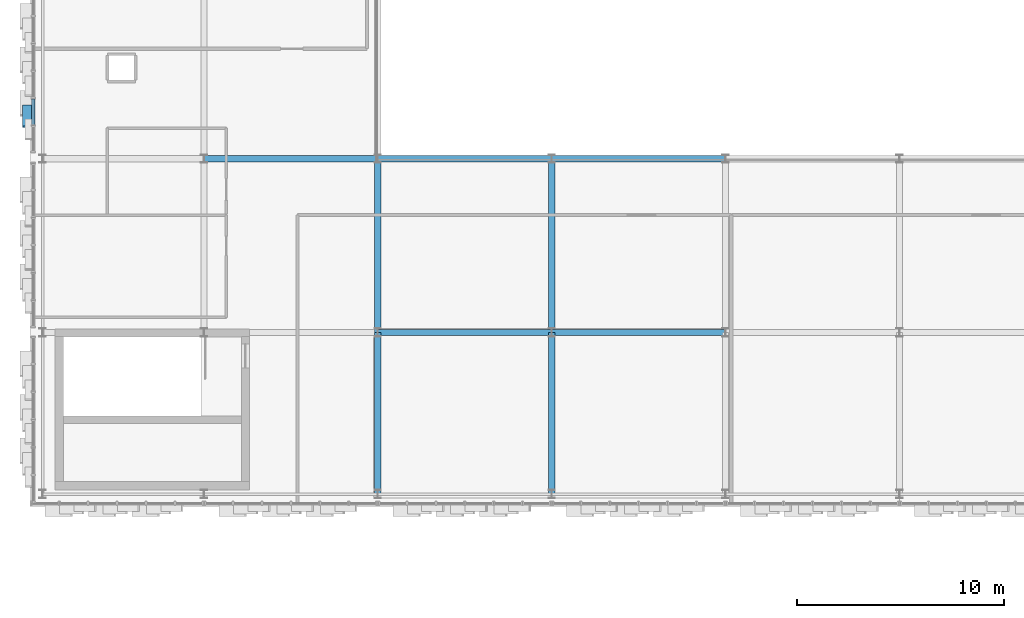
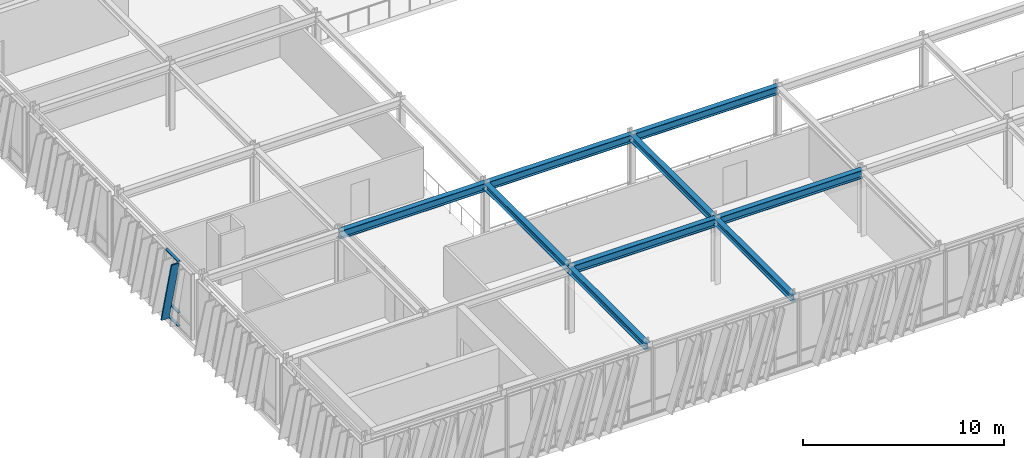
# One storey, part 35 of 123: 9 beams, 4 members, 1 element without a shape of its own.
"""IFC4 building model written with IfcOpenShell, lengths in metres."""

from ifc_helpers import new_model, si_unit, direction, frame, origin, origin_2d, place, context, subcontext, project, spatial, hollow_rectangle, i_section, extrude, material, layer, layer_set, material_profile, profile_set, type_object, element, aggregate, save


model = new_model("IFC4")

# Units and contexts
model_context = context("Model", 3, precision=1e-05, world=origin(), true_north=direction((0.0, 1.0)))
body_context = subcontext(model_context, "Body", "Model", "MODEL_VIEW")
ifc_project = project(units=[si_unit("LENGTHUNIT", "METRE"), si_unit("AREAUNIT", "SQUARE_METRE"), si_unit("VOLUMEUNIT", "CUBIC_METRE"), si_unit("PLANEANGLEUNIT", "RADIAN"), si_unit("MASSUNIT", "GRAM", prefix="KILO")], contexts=[model_context])

# Site, building, storey
site_placement = place(None, origin())
site = spatial("IfcSite", under=ifc_project, at=site_placement, CompositionType="ELEMENT")
building_placement = place(site_placement, origin())
building = spatial("IfcBuilding", under=site, at=building_placement, Name="Zayran Congress Hotel", CompositionType="ELEMENT")
storey_placement = place(building_placement, frame((0.0, 0.0, 15.0)))
storey = spatial("IfcBuildingStorey", under=building, at=storey_placement, Name="L03", CompositionType="ELEMENT", Elevation=15.0)

# Beams
ifc_material_1 = material(Name="Steel S355", Category="steel")
ifc_material_profile_1 = material_profile(ifc_material_1, i_section(OverallWidth=0.300048828125, OverallDepth=0.489990234375, WebThickness=0.011962890625, FlangeThickness=0.02294921875, at=origin_2d()), Name="HEA 500")
ifc_profile_set_1 = profile_set([ifc_material_profile_1], Name="Steel S355")
beam_type_1 = type_object("IfcBeamType", Name="TP-BM-05", PredefinedType="BEAM", material=ifc_profile_set_1)
beam_1_placement = place(storey_placement, frame((25.199951171875, 76.0, 3.735107421875), z_axis=(1.0, 0.0, 0.0), x_axis=(0.0, 1.0, 0.0)))
element("IfcBeam", 1, at=beam_1_placement, inside=storey, type_object=beam_type_1, Name="BM-V1-L03-0803", PredefinedType="BEAM", context=body_context, shape_type="SweptSolid", body=[
    extrude(i_section(OverallWidth=0.300048828125, OverallDepth=0.489990234375, WebThickness=0.011962890625, FlangeThickness=0.02294921875, at=origin_2d()), origin(), (0.0, 0.0, 1.0), 8.400146484375),
])
for number, where, z_axis, x_axis, name in (
    (2, (33.60009765625, 76.0, 3.735107421875), (1.0, 0.0, 0.0), (0.0, 1.0, 0.0), "BM-V1-L03-0804"),
    (3, (16.800048828125, 84.39990234375, 3.735107421875), (1.0, 0.0, 0.0), (0.0, 1.0, 0.0), "BM-V1-L03-0812"),
):
    element("IfcBeam", number, at=place(storey_placement, frame(where, z_axis=z_axis, x_axis=x_axis)), inside=storey, type_object=beam_type_1, Name=name, PredefinedType="BEAM", context=body_context, shape_type="SweptSolid", body=[
        extrude(i_section(OverallWidth=0.300048828125, OverallDepth=0.489990234375, WebThickness=0.011962890625, FlangeThickness=0.02294921875, at=origin_2d()), origin(), (0.0, 0.0, 1.0), 8.39990234375),
    ])
beam_2_placement = place(storey_placement, frame((25.199951171875, 84.39990234375, 3.735107421875), z_axis=(1.0, 0.0, 0.0), x_axis=(0.0, 1.0, 0.0)))
element("IfcBeam", 4, at=beam_2_placement, inside=storey, type_object=beam_type_1, Name="BM-V1-L03-0813", PredefinedType="BEAM", context=body_context, shape_type="SweptSolid", body=[
    extrude(i_section(OverallWidth=0.300048828125, OverallDepth=0.489990234375, WebThickness=0.011962890625, FlangeThickness=0.02294921875, at=origin_2d()), origin(), (0.0, 0.0, 1.0), 8.400146484375),
])
beam_3_placement = place(storey_placement, frame((33.60009765625, 84.39990234375, 3.735107421875), z_axis=(1.0, 0.0, 0.0), x_axis=(0.0, 1.0, 0.0)))
element("IfcBeam", 5, at=beam_3_placement, inside=storey, type_object=beam_type_1, Name="BM-V1-L03-0814", PredefinedType="BEAM", context=body_context, shape_type="SweptSolid", body=[
    extrude(i_section(OverallWidth=0.300048828125, OverallDepth=0.489990234375, WebThickness=0.011962890625, FlangeThickness=0.02294921875, at=origin_2d()), origin(), (0.0, 0.0, 1.0), 8.39990234375),
])
ifc_material_profile_2 = material_profile(ifc_material_1, i_section(OverallWidth=0.300048828125, OverallDepth=0.389892578125, WebThickness=0.010986328125, FlangeThickness=0.01904296875, at=origin_2d()), Name="HEA 400")
ifc_profile_set_2 = profile_set([ifc_material_profile_2], Name="Steel S355")
beam_type_2 = type_object("IfcBeamType", Name="TP-BM-06", PredefinedType="BEAM", material=ifc_profile_set_2)
beam_4_placement = place(storey_placement, frame((25.199951171875, 68.199951171875, 3.784912109375), z_axis=(0.0, 1.0, 0.0), x_axis=(-1.0, 0.0, 0.0)))
element("IfcBeam", 6, at=beam_4_placement, inside=storey, type_object=beam_type_2, Name="BM-V1-L03-0859", PredefinedType="BEAM", context=body_context, shape_type="SweptSolid", body=[
    extrude(i_section(OverallWidth=0.300048828125, OverallDepth=0.389892578125, WebThickness=0.010986328125, FlangeThickness=0.01904296875, at=origin_2d()), origin(), (0.0, 0.0, 1.0), 7.800048828125),
])
beam_5_placement = place(storey_placement, frame((25.199951171875, 76.0, 3.784912109375), z_axis=(0.0, 1.0, 0.0), x_axis=(-1.0, 0.0, 0.0)))
element("IfcBeam", 7, at=beam_5_placement, inside=storey, type_object=beam_type_2, Name="BM-V1-L03-0860", PredefinedType="BEAM", context=body_context, shape_type="SweptSolid", body=[
    extrude(i_section(OverallWidth=0.300048828125, OverallDepth=0.389892578125, WebThickness=0.010986328125, FlangeThickness=0.01904296875, at=origin_2d()), origin(), (0.0, 0.0, 1.0), 8.39990234375),
])
beam_6_placement = place(storey_placement, frame((33.60009765625, 68.199951171875, 3.784912109375), z_axis=(0.0, 1.0, 0.0), x_axis=(-1.0, 0.0, 0.0)))
element("IfcBeam", 8, at=beam_6_placement, inside=storey, type_object=beam_type_2, Name="BM-V1-L03-0865", PredefinedType="BEAM", context=body_context, shape_type="SweptSolid", body=[
    extrude(i_section(OverallWidth=0.300048828125, OverallDepth=0.389892578125, WebThickness=0.010986328125, FlangeThickness=0.01904296875, at=origin_2d()), origin(), (0.0, 0.0, 1.0), 7.800048828125),
])
beam_7_placement = place(storey_placement, frame((33.60009765625, 76.0, 3.784912109375), z_axis=(0.0, 1.0, 0.0), x_axis=(-1.0, 0.0, 0.0)))
element("IfcBeam", 9, at=beam_7_placement, inside=storey, type_object=beam_type_2, Name="BM-V1-L03-0866", PredefinedType="BEAM", context=body_context, shape_type="SweptSolid", body=[
    extrude(i_section(OverallWidth=0.300048828125, OverallDepth=0.389892578125, WebThickness=0.010986328125, FlangeThickness=0.01904296875, at=origin_2d()), origin(), (0.0, 0.0, 1.0), 8.39990234375),
])

# Curtain wall, members
ifc_material_2 = material(Name="Anodised aluminium and low-E insulated glass", Category="aluminium")
ifc_layer = layer(ifc_material_2, 0.179931640625)
ifc_layer_set = layer_set([ifc_layer], Name="Anodised aluminium and low-E insulated glass")
curtain_wall_type = type_object("IfcCurtainWallType", Name="CW-V1W-L03-CW-31-7940-3980", PredefinedType="USERDEFINED", material=ifc_layer_set)
curtain_wall_placement = place(storey_placement, origin())
curtain_wall = element("IfcCurtainWall", 10, at=curtain_wall_placement, inside=storey, type_object=curtain_wall_type, Name="CW-V1W-L03-2", ObjectType="CURTAIN WALL", PredefinedType="USERDEFINED")
ifc_material_3 = material(Name="Anodised aluminium framing", Category="aluminium")
ifc_material_profile_3 = material_profile(ifc_material_3, hollow_rectangle(XDim=0.06005859375, YDim=0.14990234375, WallThickness=0.00390625, at=origin_2d()), Name="RHS 150x60x4")
ifc_profile_set_3 = profile_set([ifc_material_profile_3], Name="Anodised aluminium framing")
member_type_1 = type_object("IfcMemberType", Name="TP-CWT-01", PredefinedType="USERDEFINED", material=ifc_profile_set_3)
member_1_placement = place(storey_placement, frame((8.550048828125, 87.28662109375, 0.030029296875), z_axis=(0.0, -1.0, 0.0), x_axis=(0.0, 0.0, 1.0)))
member_1 = element("IfcMember", 11, at=member_1_placement, type_object=member_type_1, Name="CW-V1W-L03-2-T04-0", ObjectType="TRANSOM", PredefinedType="USERDEFINED", context=body_context, shape_type="SweptSolid", body=[
    extrude(hollow_rectangle(XDim=0.06005859375, YDim=0.14990234375, WallThickness=0.00390625, at=origin_2d()), origin(), (0.0, 0.0, 1.0), 1.243408203125),
])
member_2_placement = place(storey_placement, frame((8.550048828125, 87.28662109375, 0.840087890625), z_axis=(0.0, -1.0, 0.0), x_axis=(0.0, 0.0, 1.0)))
member_2 = element("IfcMember", 12, at=member_2_placement, type_object=member_type_1, Name="CW-V1W-L03-2-T04-1", ObjectType="TRANSOM", PredefinedType="USERDEFINED", context=body_context, shape_type="SweptSolid", body=[
    extrude(hollow_rectangle(XDim=0.06005859375, YDim=0.14990234375, WallThickness=0.00390625, at=origin_2d()), origin(), (0.0, 0.0, 1.0), 1.243408203125),
])
member_3_placement = place(storey_placement, frame((8.550048828125, 87.28662109375, 3.949951171875), z_axis=(0.0, -1.0, 0.0), x_axis=(0.0, 0.0, 1.0)))
member_3 = element("IfcMember", 13, at=member_3_placement, type_object=member_type_1, Name="CW-V1W-L03-2-T04-2", ObjectType="TRANSOM", PredefinedType="USERDEFINED", context=body_context, shape_type="SweptSolid", body=[
    extrude(hollow_rectangle(XDim=0.06005859375, YDim=0.14990234375, WallThickness=0.00390625, at=origin_2d()), origin(), (0.0, 0.0, 1.0), 1.243408203125),
])
ifc_material_4 = material(Name="Warm bronze anodised aluminium", Category="aluminium")
ifc_material_profile_4 = material_profile(ifc_material_4, hollow_rectangle(XDim=0.080078125, YDim=0.449951171875, WallThickness=0.006103515625, at=origin_2d()), Name="RHS 450x80x6")
ifc_profile_set_4 = profile_set([ifc_material_profile_4], Name="Warm bronze anodised aluminium")
member_type_2 = type_object("IfcMemberType", Name="TP-RFN-02", PredefinedType="MULLION", material=ifc_profile_set_4)
member_4_placement = place(storey_placement, frame((8.264892578125, 86.969970703125, 0.0), z_axis=(0.0, -0.250380902481, 0.968147408029), x_axis=(0.0, 0.968147408029, 0.250380902481)))
member_4 = element("IfcMember", 14, at=member_4_placement, type_object=member_type_2, Name="Slanting Reed Mullion CW-31-08", PredefinedType="MULLION", context=body_context, shape_type="SweptSolid", body=[
    extrude(hollow_rectangle(XDim=0.080078125, YDim=0.449951171875, WallThickness=0.006103515625, at=origin_2d()), origin(), (0.0, 0.0, 1.0), 4.11083984375),
])
aggregate(curtain_wall, [member_1, member_2, member_3, member_4])

save(model, "model.ifc")
